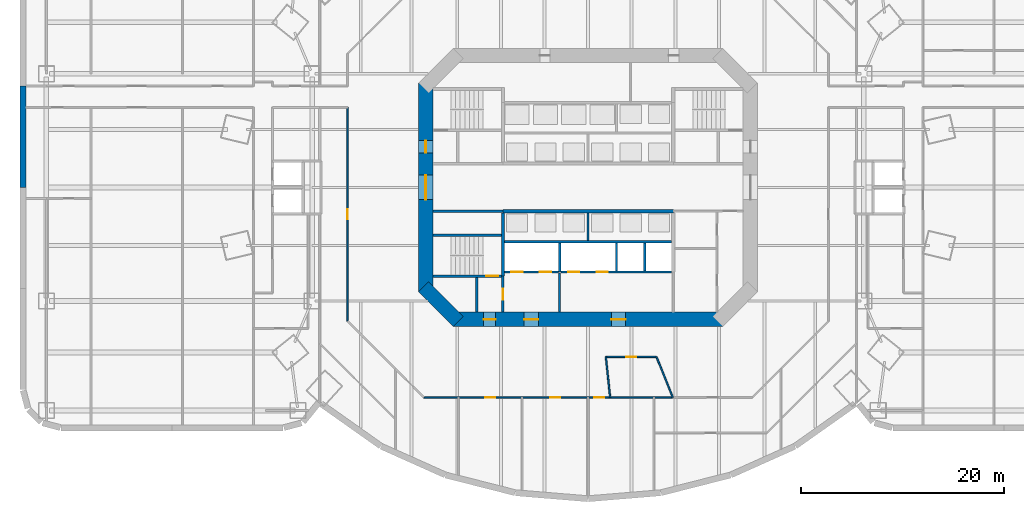
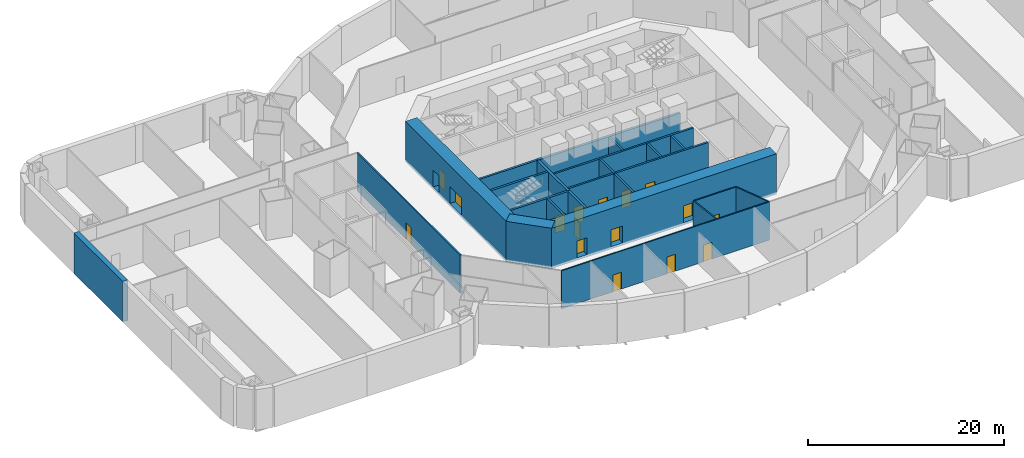
# One storey, part 4 of 11: 24 walls, 16 doors, 16 openings.
"""IFC4 building model written with IfcOpenShell, lengths in metres."""

from ifc_helpers import new_model, si_unit, direction, frame, frame_2d, origin, place, context, subcontext, project, spatial, rectangle, extrude, material, layer, layer_set, type_object, element, fill, save


model = new_model("IFC4")

# Units and contexts
model_context = context("Model", 3, precision=1e-05, world=origin(), true_north=direction((0.0, 1.0)))
body_context = subcontext(model_context, "Body", "Model", "MODEL_VIEW")
ifc_project = project(units=[si_unit("LENGTHUNIT", "METRE"), si_unit("AREAUNIT", "SQUARE_METRE"), si_unit("VOLUMEUNIT", "CUBIC_METRE"), si_unit("PLANEANGLEUNIT", "RADIAN"), si_unit("MASSUNIT", "GRAM", prefix="KILO")], contexts=[model_context])

# Site, building, storey
site_placement = place(None, origin())
site = spatial("IfcSite", under=ifc_project, at=site_placement, CompositionType="ELEMENT")
building_placement = place(site_placement, origin())
building = spatial("IfcBuilding", under=site, at=building_placement, Name="Marenthal Gate Tower", CompositionType="ELEMENT")
storey_placement = place(building_placement, frame((0.0, 0.0, -5.0)))
storey = spatial("IfcBuildingStorey", under=building, at=storey_placement, Name="B1", CompositionType="ELEMENT", Elevation=-5.0)

# Wall
ifc_material_1 = material(Name="Concrete 50 MPa", Category="concrete")
ifc_layer_1 = layer(ifc_material_1, 0.60009765625)
ifc_layer_set_1 = layer_set([ifc_layer_1], Name="BASEMENT WALL 600")
wall_type_1 = type_object("IfcWallType", Name="BASEMENT WALL 600", PredefinedType="SOLIDWALL", material=ifc_layer_set_1)
wall_1_placement = place(storey_placement, frame((-55.699951171875, 9.98974609375, -0.300048828125), z_axis=(0.0, 0.0, 1.0), x_axis=(0.0, -1.0, 0.0)))
element("IfcWall", 1, at=wall_1_placement, inside=storey, type_object=wall_type_1, Name="BW-B1-43", PredefinedType="SOLIDWALL", context=body_context, shape_type="SweptSolid", body=[
    extrude(rectangle(XDim=9.98974609375, YDim=0.60009765625, at=frame_2d((4.994873046875, 0.0))), origin(), (0.0, 0.0, 1.0), 5.050048828125),
])

# Wall, openings, doors
ifc_material_2 = material(Name="Concrete 60 MPa", Category="concrete")
ifc_layer_2 = layer(ifc_material_2, 1.39990234375)
ifc_layer_set_2 = layer_set([ifc_layer_2], Name="Core shear wall 1400")
wall_type_2 = type_object("IfcWallType", Name="Core shear wall 1400", PredefinedType="SHEAR", material=ifc_layer_set_2)
wall_2_placement = place(storey_placement, frame((-16.0, 10.289794921875, -0.300048828125), z_axis=(0.0, 0.0, 1.0), x_axis=(0.0, -1.0, 0.0)))
wall_2 = element("IfcWall", 2, at=wall_2_placement, inside=storey, type_object=wall_type_2, Name="Core wall 06", PredefinedType="SHEAR", context=body_context, shape_type="SweptSolid", body=[
    extrude(rectangle(XDim=20.57958984375, YDim=1.39990234375, at=frame_2d((10.289794921875, 0.0))), origin(), (0.0, 0.0, 1.0), 5.050048828125),
])
opening_1_placement = place(wall_2_placement, frame((9.08984375, 0.0, 0.300048828125)))
opening_1 = element("IfcOpeningElement", 3, at=opening_1_placement, cuts=wall_2, Name="Opening D003.01", PredefinedType="OPENING", context=body_context, shape_type="SweptSolid", body=[
    extrude(rectangle(XDim=2.39990234375, YDim=2.10009765625, at=frame_2d((1.199951171875, 1.050048828125))), frame((0.0, 0.7099609375, 0.0), z_axis=(0.0, -1.0, 0.0), x_axis=(1.0, 0.0, 0.0)), (0.0, 0.0, 1.0), 1.419921875),
])
opening_2_placement = place(wall_2_placement, frame((5.68994140625, 0.0, 0.300048828125)))
opening_2 = element("IfcOpeningElement", 4, at=opening_2_placement, cuts=wall_2, Name="Opening D001.04", PredefinedType="OPENING", context=body_context, shape_type="SweptSolid", body=[
    extrude(rectangle(XDim=1.199951171875, YDim=2.10009765625, at=frame_2d((0.60009765625, 1.050048828125))), frame((0.0, 0.7099609375, 0.0), z_axis=(0.0, -1.0, 0.0), x_axis=(1.0, 0.0, 0.0)), (0.0, 0.0, 1.0), 1.419921875),
])
ifc_material_3 = material(Name="Steel fire door", Category="steel")
door_type_1 = type_object("IfcDoorType", Name="Double fire door FD 45 2400 x 2100", OperationType="DOUBLE_DOOR_SINGLE_SWING", PredefinedType="DOOR", material=ifc_material_3)
door_1_placement = place(opening_1_placement, origin())
door_1 = element("IfcDoor", 5, at=door_1_placement, inside=storey, type_object=door_type_1, Name="Door D003.01", OperationType="DOUBLE_DOOR_SINGLE_SWING", OverallHeight=2.10009765625, OverallWidth=2.39990234375, PredefinedType="DOOR", context=body_context, shape_type="SweptSolid", body=[
    extrude(rectangle(XDim=2.39990234375, YDim=2.10009765625, at=frame_2d((1.199951171875, 1.050048828125))), frame((0.0, 0.02490234375, 0.0), z_axis=(0.0, -1.0, 0.0), x_axis=(1.0, 0.0, 0.0)), (0.0, 0.0, 1.0), 0.050048828125),
])
fill(opening_1, door_1)
ifc_material_4 = material(Name="Steel fire door", Category="steel")
door_type_2 = type_object("IfcDoorType", Name="Fire door FD 90 1200 x 2100", OperationType="NOTDEFINED", PredefinedType="DOOR", material=ifc_material_4)
door_2_placement = place(opening_2_placement, origin())
door_2 = element("IfcDoor", 6, at=door_2_placement, inside=storey, type_object=door_type_2, Name="Door D001.04", OperationType="SINGLE_SWING_RIGHT", OverallHeight=2.10009765625, OverallWidth=1.199951171875, PredefinedType="DOOR", context=body_context, shape_type="SweptSolid", body=[
    extrude(rectangle(XDim=1.199951171875, YDim=2.10009765625, at=frame_2d((0.60009765625, 1.050048828125))), frame((0.0, 0.02490234375, 0.0), z_axis=(0.0, -1.0, 0.0), x_axis=(1.0, 0.0, 0.0)), (0.0, 0.0, 1.0), 0.050048828125),
])
fill(opening_2, door_2)

# Wall
wall_3_placement = place(storey_placement, frame((-16.205078125, -9.794921875, -0.300048828125), z_axis=(0.0, 0.0, 1.0), x_axis=(0.707106781187, -0.707106781187, 0.0)))
element("IfcWall", 7, at=wall_3_placement, inside=storey, type_object=wall_type_2, Name="Core wall 07", PredefinedType="SHEAR", context=body_context, shape_type="SweptSolid", body=[
    extrude(rectangle(XDim=4.82275390625, YDim=1.39990234375, at=frame_2d((2.411376953125, 0.0))), origin(), (0.0, 0.0, 1.0), 5.050048828125),
])

# Wall, openings, doors
wall_4_placement = place(storey_placement, frame((-13.289794921875, -13.0, -0.300048828125), z_axis=(0.0, 0.0, 1.0), x_axis=(1.0, 0.0, 0.0)))
wall_4 = element("IfcWall", 8, at=wall_4_placement, inside=storey, type_object=wall_type_2, Name="Core wall 08", PredefinedType="SHEAR", context=body_context, shape_type="SweptSolid", body=[
    extrude(rectangle(XDim=26.57958984375, YDim=1.39990234375, at=frame_2d((13.289794921875, 0.0))), origin(), (0.0, 0.0, 1.0), 5.050048828125),
])
opening_3_placement = place(wall_4_placement, frame((2.989990234375, 0.0, 0.300048828125)))
opening_3 = element("IfcOpeningElement", 9, at=opening_3_placement, cuts=wall_4, Name="Opening D001.06", PredefinedType="OPENING", context=body_context, shape_type="SweptSolid", body=[
    extrude(rectangle(XDim=1.199951171875, YDim=2.10009765625, at=frame_2d((0.60009765625, 1.050048828125))), frame((0.0, 0.7099609375, 0.0), z_axis=(0.0, -1.0, 0.0), x_axis=(1.0, 0.0, 0.0)), (0.0, 0.0, 1.0), 1.419921875),
])
opening_4_placement = place(wall_4_placement, frame((6.989990234375, 0.0, 0.300048828125)))
opening_4 = element("IfcOpeningElement", 10, at=opening_4_placement, cuts=wall_4, Name="Opening D004.01", PredefinedType="OPENING", context=body_context, shape_type="SweptSolid", body=[
    extrude(rectangle(XDim=1.39990234375, YDim=2.10009765625, at=frame_2d((0.699951171875, 1.050048828125))), frame((0.0, 0.7099609375, 0.0), z_axis=(0.0, -1.0, 0.0), x_axis=(1.0, 0.0, 0.0)), (0.0, 0.0, 1.0), 1.419921875),
])
opening_5_placement = place(wall_4_placement, frame((15.58984375, 0.0, 0.300048828125)))
opening_5 = element("IfcOpeningElement", 11, at=opening_5_placement, cuts=wall_4, Name="Opening D004.02", PredefinedType="OPENING", context=body_context, shape_type="SweptSolid", body=[
    extrude(rectangle(XDim=1.39990234375, YDim=2.10009765625, at=frame_2d((0.699951171875, 1.050048828125))), frame((0.0, 0.7099609375, 0.0), z_axis=(0.0, -1.0, 0.0), x_axis=(1.0, 0.0, 0.0)), (0.0, 0.0, 1.0), 1.419921875),
])
ifc_material_5 = material(Name="Steel fire door", Category="steel")
door_type_3 = type_object("IfcDoorType", Name="Fire door FD 45 1400 x 2100", OperationType="NOTDEFINED", PredefinedType="DOOR", material=ifc_material_5)
door_3_placement = place(opening_4_placement, origin())
door_3 = element("IfcDoor", 12, at=door_3_placement, inside=storey, type_object=door_type_3, Name="Door D004.01", OperationType="SINGLE_SWING_RIGHT", OverallHeight=2.10009765625, OverallWidth=1.39990234375, PredefinedType="DOOR", context=body_context, shape_type="SweptSolid", body=[
    extrude(rectangle(XDim=1.39990234375, YDim=2.10009765625, at=frame_2d((0.699951171875, 1.050048828125))), frame((0.0, 0.02490234375, 0.0), z_axis=(0.0, -1.0, 0.0), x_axis=(1.0, 0.0, 0.0)), (0.0, 0.0, 1.0), 0.050048828125),
])
fill(opening_4, door_3)
door_4_placement = place(opening_5_placement, origin())
door_4 = element("IfcDoor", 13, at=door_4_placement, inside=storey, type_object=door_type_3, Name="Door D004.02", OperationType="SINGLE_SWING_RIGHT", OverallHeight=2.10009765625, OverallWidth=1.39990234375, PredefinedType="DOOR", context=body_context, shape_type="SweptSolid", body=[
    extrude(rectangle(XDim=1.39990234375, YDim=2.10009765625, at=frame_2d((0.699951171875, 1.050048828125))), frame((0.0, 0.02490234375, 0.0), z_axis=(0.0, -1.0, 0.0), x_axis=(1.0, 0.0, 0.0)), (0.0, 0.0, 1.0), 0.050048828125),
])
fill(opening_5, door_4)
door_5_placement = place(opening_3_placement, origin())
door_5 = element("IfcDoor", 14, at=door_5_placement, inside=storey, type_object=door_type_2, Name="Door D001.06", OperationType="SINGLE_SWING_RIGHT", OverallHeight=2.10009765625, OverallWidth=1.199951171875, PredefinedType="DOOR", context=body_context, shape_type="SweptSolid", body=[
    extrude(rectangle(XDim=1.199951171875, YDim=2.10009765625, at=frame_2d((0.60009765625, 1.050048828125))), frame((0.0, 0.02490234375, 0.0), z_axis=(0.0, -1.0, 0.0), x_axis=(1.0, 0.0, 0.0)), (0.0, 0.0, 1.0), 0.050048828125),
])
fill(opening_3, door_5)

# Walls
ifc_material_6 = material(Name="Gypsum board on steel studs", Category="steel")
ifc_layer_3 = layer(ifc_material_6, 0.199951171875)
ifc_layer_set_3 = layer_set([ifc_layer_3], Name="Fire lobby wall 200")
wall_type_3 = type_object("IfcWallType", Name="Fire lobby wall 200", PredefinedType="PARTITIONING", material=ifc_layer_set_3)
wall_5_placement = place(storey_placement, frame((-2.800048828125, -12.300048828125, 0.0), z_axis=(0.0, 0.0, 1.0), x_axis=(0.0, 1.0, 0.0)))
element("IfcWall", 15, at=wall_5_placement, inside=storey, type_object=wall_type_3, Name="Fire wall 33", PredefinedType="PARTITIONING", context=body_context, shape_type="SweptSolid", body=[
    extrude(rectangle(XDim=3.840087890625, YDim=0.199951171875, at=frame_2d((1.919921875, 0.0))), origin(), (0.0, 0.0, 1.0), 4.75),
])
ifc_material_7 = material(Name="Concrete 50 MPa", Category="concrete")
ifc_layer_4 = layer(ifc_material_7, 0.300048828125)
ifc_layer_set_4 = layer_set([ifc_layer_4], Name="Hoistway shear wall 300")
wall_type_4 = type_object("IfcWallType", Name="Hoistway shear wall 300", PredefinedType="SHEAR", material=ifc_layer_set_4)
wall_6_placement = place(storey_placement, frame((-8.39990234375, -2.35009765625, -0.300048828125), z_axis=(0.0, 0.0, 1.0), x_axis=(1.0, 0.0, 0.0)))
element("IfcWall", 16, at=wall_6_placement, inside=storey, type_object=wall_type_4, Name="Hoistway wall 16", PredefinedType="SHEAR", context=body_context, shape_type="SweptSolid", body=[
    extrude(rectangle(XDim=16.7998046875, YDim=0.300048828125, at=frame_2d((8.39990234375, 0.0))), origin(), (0.0, 0.0, 1.0), 5.050048828125),
])
wall_7_placement = place(storey_placement, frame((-8.39990234375, -8.75, -0.300048828125), z_axis=(0.0, 0.0, 1.0), x_axis=(0.0, 1.0, 0.0)))
element("IfcWall", 17, at=wall_7_placement, inside=storey, type_object=wall_type_4, Name="Hoistway wall 30", PredefinedType="SHEAR", context=body_context, shape_type="SweptSolid", body=[
    extrude(rectangle(XDim=6.25, YDim=0.300048828125, at=frame_2d((3.125, 0.0))), origin(), (0.0, 0.0, 1.0), 5.050048828125),
])

# Wall, openings, doors
ifc_material_8 = material(Name="Concrete 40 MPa", Category="concrete")
ifc_layer_5 = layer(ifc_material_8, 0.219970703125)
ifc_layer_set_5 = layer_set([ifc_layer_5], Name="Hoistway wall 220")
wall_type_5 = type_object("IfcWallType", Name="Hoistway wall 220", PredefinedType="STANDARD", material=ifc_layer_set_5)
wall_8_placement = place(storey_placement, frame((-8.25, -8.35009765625, 0.0), z_axis=(0.0, 0.0, 1.0), x_axis=(1.0, 0.0, 0.0)))
wall_8 = element("IfcWall", 18, at=wall_8_placement, inside=storey, type_object=wall_type_5, Name="Hoistway wall 10", PredefinedType="STANDARD", context=body_context, shape_type="SweptSolid", body=[
    extrude(rectangle(XDim=5.340087890625, YDim=0.219970703125, at=frame_2d((2.669921875, 0.0))), origin(), (0.0, 0.0, 1.0), 4.75),
])
opening_6_placement = place(wall_8_placement, frame((0.699951171875, 0.0, 0.0)))
opening_6 = element("IfcOpeningElement", 19, at=opening_6_placement, cuts=wall_8, Name="Opening LD-LF1", PredefinedType="OPENING", context=body_context, shape_type="SweptSolid", body=[
    extrude(rectangle(XDim=1.10009765625, YDim=2.10009765625, at=frame_2d((0.550048828125, 1.050048828125))), frame((0.0, 0.1201171875, 0.0), z_axis=(0.0, -1.0, 0.0), x_axis=(1.0, 0.0, 0.0)), (0.0, 0.0, 1.0), 0.239990234375),
])
opening_7_placement = place(wall_8_placement, frame((3.5, 0.0, 0.0)))
opening_7 = element("IfcOpeningElement", 20, at=opening_7_placement, cuts=wall_8, Name="Opening LD-LF2", PredefinedType="OPENING", context=body_context, shape_type="SweptSolid", body=[
    extrude(rectangle(XDim=1.10009765625, YDim=2.10009765625, at=frame_2d((0.550048828125, 1.050048828125))), frame((0.0, 0.1201171875, 0.0), z_axis=(0.0, -1.0, 0.0), x_axis=(1.0, 0.0, 0.0)), (0.0, 0.0, 1.0), 0.239990234375),
])
ifc_material_9 = material(Name="Stainless steel sliding door", Category="steel")
door_type_4 = type_object("IfcDoorType", Name="Lift landing door FD 90 1100 x 2100", OperationType="DOUBLE_DOOR_SLIDING", PredefinedType="DOOR", material=ifc_material_9)
door_6_placement = place(opening_6_placement, origin())
door_6 = element("IfcDoor", 21, at=door_6_placement, inside=storey, type_object=door_type_4, Name="Lift landing door LF1", OperationType="DOUBLE_DOOR_SLIDING", OverallHeight=2.10009765625, OverallWidth=1.10009765625, PredefinedType="DOOR", context=body_context, shape_type="SweptSolid", body=[
    extrude(rectangle(XDim=1.10009765625, YDim=2.10009765625, at=frame_2d((0.550048828125, 1.050048828125))), frame((0.0, 0.02490234375, 0.0), z_axis=(0.0, -1.0, 0.0), x_axis=(1.0, 0.0, 0.0)), (0.0, 0.0, 1.0), 0.050048828125),
])
fill(opening_6, door_6)
door_7_placement = place(opening_7_placement, origin())
door_7 = element("IfcDoor", 22, at=door_7_placement, inside=storey, type_object=door_type_4, Name="Lift landing door LF2", OperationType="DOUBLE_DOOR_SLIDING", OverallHeight=2.10009765625, OverallWidth=1.10009765625, PredefinedType="DOOR", context=body_context, shape_type="SweptSolid", body=[
    extrude(rectangle(XDim=1.10009765625, YDim=2.10009765625, at=frame_2d((0.550048828125, 1.050048828125))), frame((0.0, 0.02490234375, 0.0), z_axis=(0.0, -1.0, 0.0), x_axis=(1.0, 0.0, 0.0)), (0.0, 0.0, 1.0), 0.050048828125),
])
fill(opening_7, door_7)

wall_9_placement = place(storey_placement, frame((-2.68994140625, -8.35009765625, 0.0), z_axis=(0.0, 0.0, 1.0), x_axis=(1.0, 0.0, 0.0)))
wall_9 = element("IfcWall", 23, at=wall_9_placement, inside=storey, type_object=wall_type_5, Name="Hoistway wall 11", PredefinedType="STANDARD", context=body_context, shape_type="SweptSolid", body=[
    extrude(rectangle(XDim=10.93994140625, YDim=0.219970703125, at=frame_2d((5.469970703125, 0.0))), origin(), (0.0, 0.0, 1.0), 4.75),
])
opening_8_placement = place(wall_9_placement, frame((0.739990234375, 0.0, 0.0)))
opening_8 = element("IfcOpeningElement", 24, at=opening_8_placement, cuts=wall_9, Name="Opening LD-SV1", PredefinedType="OPENING", context=body_context, shape_type="SweptSolid", body=[
    extrude(rectangle(XDim=1.10009765625, YDim=2.10009765625, at=frame_2d((0.550048828125, 1.050048828125))), frame((0.0, 0.1201171875, 0.0), z_axis=(0.0, -1.0, 0.0), x_axis=(1.0, 0.0, 0.0)), (0.0, 0.0, 1.0), 0.239990234375),
])
opening_9_placement = place(wall_9_placement, frame((3.5400390625, 0.0, 0.0)))
opening_9 = element("IfcOpeningElement", 25, at=opening_9_placement, cuts=wall_9, Name="Opening LD-SV2", PredefinedType="OPENING", context=body_context, shape_type="SweptSolid", body=[
    extrude(rectangle(XDim=1.10009765625, YDim=2.10009765625, at=frame_2d((0.550048828125, 1.050048828125))), frame((0.0, 0.1201171875, 0.0), z_axis=(0.0, -1.0, 0.0), x_axis=(1.0, 0.0, 0.0)), (0.0, 0.0, 1.0), 0.239990234375),
])
door_8_placement = place(opening_8_placement, origin())
door_8 = element("IfcDoor", 26, at=door_8_placement, inside=storey, type_object=door_type_4, Name="Lift landing door SV1", OperationType="DOUBLE_DOOR_SLIDING", OverallHeight=2.10009765625, OverallWidth=1.10009765625, PredefinedType="DOOR", context=body_context, shape_type="SweptSolid", body=[
    extrude(rectangle(XDim=1.10009765625, YDim=2.10009765625, at=frame_2d((0.550048828125, 1.050048828125))), frame((0.0, 0.02490234375, 0.0), z_axis=(0.0, -1.0, 0.0), x_axis=(1.0, 0.0, 0.0)), (0.0, 0.0, 1.0), 0.050048828125),
])
fill(opening_8, door_8)
door_9_placement = place(opening_9_placement, origin())
door_9 = element("IfcDoor", 27, at=door_9_placement, inside=storey, type_object=door_type_4, Name="Lift landing door SV2", OperationType="DOUBLE_DOOR_SLIDING", OverallHeight=2.10009765625, OverallWidth=1.10009765625, PredefinedType="DOOR", context=body_context, shape_type="SweptSolid", body=[
    extrude(rectangle(XDim=1.10009765625, YDim=2.10009765625, at=frame_2d((0.550048828125, 1.050048828125))), frame((0.0, 0.02490234375, 0.0), z_axis=(0.0, -1.0, 0.0), x_axis=(1.0, 0.0, 0.0)), (0.0, 0.0, 1.0), 0.050048828125),
])
fill(opening_9, door_9)

# Walls
wall_10_placement = place(storey_placement, frame((-8.25, -5.35009765625, 0.0), z_axis=(0.0, 0.0, 1.0), x_axis=(1.0, 0.0, 0.0)))
element("IfcWall", 28, at=wall_10_placement, inside=storey, type_object=wall_type_5, Name="Hoistway wall 13", PredefinedType="STANDARD", context=body_context, shape_type="SweptSolid", body=[
    extrude(rectangle(XDim=16.5, YDim=0.219970703125, at=frame_2d((8.25, 0.0))), origin(), (0.0, 0.0, 1.0), 4.75),
])
wall_11_placement = place(storey_placement, frame((-2.800048828125, -8.35009765625, 0.0), z_axis=(0.0, 0.0, 1.0), x_axis=(0.0, 1.0, 0.0)))
element("IfcWall", 29, at=wall_11_placement, inside=storey, type_object=wall_type_5, Name="Hoistway wall 34", PredefinedType="STANDARD", context=body_context, shape_type="SweptSolid", body=[
    extrude(rectangle(XDim=2.89013671875, YDim=0.219970703125, at=frame_2d((1.445068359375, 0.0))), origin(), (0.0, 0.0, 1.0), 4.75),
])
wall_12_placement = place(storey_placement, frame((0.0, -5.239990234375, 0.0), z_axis=(0.0, 0.0, 1.0), x_axis=(0.0, 1.0, 0.0)))
element("IfcWall", 30, at=wall_12_placement, inside=storey, type_object=wall_type_5, Name="Hoistway wall 35", PredefinedType="STANDARD", context=body_context, shape_type="SweptSolid", body=[
    extrude(rectangle(XDim=2.739990234375, YDim=0.219970703125, at=frame_2d((1.3701171875, 0.0))), origin(), (0.0, 0.0, 1.0), 4.75),
])
for number, where, z_axis, x_axis, name in (
    (31, (2.800048828125, -8.239990234375, 0.0), (0.0, 0.0, 1.0), (0.0, 1.0, 0.0), "Hoistway wall 37"),
    (32, (5.60009765625, -8.239990234375, 0.0), (0.0, 0.0, 1.0), (0.0, 1.0, 0.0), "Hoistway wall 40"),
):
    element("IfcWall", number, at=place(storey_placement, frame(where, z_axis=z_axis, x_axis=x_axis)), inside=storey, type_object=wall_type_5, Name=name, PredefinedType="STANDARD", context=body_context, shape_type="SweptSolid", body=[
        extrude(rectangle(XDim=2.780029296875, YDim=0.219970703125, at=frame_2d((1.39013671875, 0.0))), origin(), (0.0, 0.0, 1.0), 4.75),
    ])

# Wall, opening, door
ifc_material_10 = material(Name="Gypsum board on steel studs", Category="steel")
ifc_layer_6 = layer(ifc_material_10, 0.14990234375)
ifc_layer_set_6 = layer_set([ifc_layer_6], Name="Partition 150")
wall_type_6 = type_object("IfcWallType", Name="Partition 150", PredefinedType="PARTITIONING", material=ifc_layer_set_6)
wall_13_placement = place(storey_placement, frame((-23.699951171875, -13.189453125, 0.0), z_axis=(0.0, 0.0, 1.0), x_axis=(0.0, 1.0, 0.0)))
wall_13 = element("IfcWall", 33, at=wall_13_placement, inside=storey, type_object=wall_type_6, Name="Partition wall 08", PredefinedType="PARTITIONING", context=body_context, shape_type="SweptSolid", body=[
    extrude(rectangle(XDim=21.094482421875, YDim=0.14990234375, at=frame_2d((10.54736328125, 0.0))), origin(), (0.0, 0.0, 1.0), 4.75),
])
opening_10_placement = place(wall_13_placement, frame((10.044677734375, 0.0, 0.0)))
opening_10 = element("IfcOpeningElement", 34, at=opening_10_placement, cuts=wall_13, Name="Opening D012.02", PredefinedType="OPENING", context=body_context, shape_type="SweptSolid", body=[
    extrude(rectangle(XDim=1.0, YDim=2.10009765625, at=frame_2d((0.5, 1.050048828125))), frame((0.0, 0.0849609375, 0.0), z_axis=(0.0, -1.0, 0.0), x_axis=(1.0, 0.0, 0.0)), (0.0, 0.0, 1.0), 0.169921875),
])
ifc_material_11 = material(Name="Timber door", Category="wood")
door_type_5 = type_object("IfcDoorType", Name="Door 1000 x 2100", OperationType="NOTDEFINED", PredefinedType="DOOR", material=ifc_material_11)
door_10_placement = place(opening_10_placement, origin())
door_10 = element("IfcDoor", 35, at=door_10_placement, inside=storey, type_object=door_type_5, Name="Door D012.02", OperationType="SINGLE_SWING_RIGHT", OverallHeight=2.10009765625, OverallWidth=1.0, PredefinedType="DOOR", context=body_context, shape_type="SweptSolid", body=[
    extrude(rectangle(XDim=1.0, YDim=2.10009765625, at=frame_2d((0.5, 1.050048828125))), frame((0.0, 0.02490234375, 0.0), z_axis=(0.0, -1.0, 0.0), x_axis=(1.0, 0.0, 0.0)), (0.0, 0.0, 1.0), 0.050048828125),
])
fill(opening_10, door_10)

# Walls
ifc_material_12 = material(Name="Concrete 40 MPa", Category="concrete")
ifc_layer_7 = layer(ifc_material_12, 0.25)
ifc_layer_set_7 = layer_set([ifc_layer_7], Name="Stair enclosure wall 250")
wall_type_7 = type_object("IfcWallType", Name="Stair enclosure wall 250", PredefinedType="STANDARD", material=ifc_layer_set_7)
wall_14_placement = place(storey_placement, frame((-15.300048828125, -2.35009765625, 0.0), z_axis=(0.0, 0.0, 1.0), x_axis=(1.0, 0.0, 0.0)))
element("IfcWall", 36, at=wall_14_placement, inside=storey, type_object=wall_type_7, Name="Stair wall 15", PredefinedType="STANDARD", context=body_context, shape_type="SweptSolid", body=[
    extrude(rectangle(XDim=6.900146484375, YDim=0.25, at=frame_2d((3.4501953125, 0.0))), origin(), (0.0, 0.0, 1.0), 4.75),
])
wall_15_placement = place(storey_placement, frame((-10.949951171875, -12.300048828125, 0.0), z_axis=(0.0, 0.0, 1.0), x_axis=(0.0, 1.0, 0.0)))
element("IfcWall", 37, at=wall_15_placement, inside=storey, type_object=wall_type_7, Name="Stair wall 28", PredefinedType="STANDARD", context=body_context, shape_type="SweptSolid", body=[
    extrude(rectangle(XDim=3.425048828125, YDim=0.25, at=frame_2d((1.71240234375, 0.0))), origin(), (0.0, 0.0, 1.0), 4.75),
])

# Wall, opening, door
wall_16_placement = place(storey_placement, frame((-8.39990234375, -12.300048828125, 0.0), z_axis=(0.0, 0.0, 1.0), x_axis=(0.0, 1.0, 0.0)))
wall_16 = element("IfcWall", 38, at=wall_16_placement, inside=storey, type_object=wall_type_7, Name="Stair wall 29", PredefinedType="STANDARD", context=body_context, shape_type="SweptSolid", body=[
    extrude(rectangle(XDim=3.550048828125, YDim=0.25, at=frame_2d((1.77490234375, 0.0))), origin(), (0.0, 0.0, 1.0), 4.75),
])
opening_11_placement = place(wall_16_placement, frame((1.199951171875, 0.0, 0.0)))
opening_11 = element("IfcOpeningElement", 39, at=opening_11_placement, cuts=wall_16, Name="Opening D002.01", PredefinedType="OPENING", context=body_context, shape_type="SweptSolid", body=[
    extrude(rectangle(XDim=1.10009765625, YDim=2.10009765625, at=frame_2d((0.550048828125, 1.050048828125))), frame((0.0, 0.135009765625, 0.0), z_axis=(0.0, -1.0, 0.0), x_axis=(1.0, 0.0, 0.0)), (0.0, 0.0, 1.0), 0.27001953125),
])
ifc_material_13 = material(Name="Steel fire door", Category="steel")
door_type_6 = type_object("IfcDoorType", Name="Fire door FD 90 1100 x 2100", OperationType="NOTDEFINED", PredefinedType="DOOR", material=ifc_material_13)
door_11_placement = place(opening_11_placement, origin())
door_11 = element("IfcDoor", 40, at=door_11_placement, inside=storey, type_object=door_type_6, Name="Door D002.01", OperationType="SINGLE_SWING_RIGHT", OverallHeight=2.10009765625, OverallWidth=1.10009765625, PredefinedType="DOOR", context=body_context, shape_type="SweptSolid", body=[
    extrude(rectangle(XDim=1.10009765625, YDim=2.10009765625, at=frame_2d((0.550048828125, 1.050048828125))), frame((0.0, 0.02490234375, 0.0), z_axis=(0.0, -1.0, 0.0), x_axis=(1.0, 0.0, 0.0)), (0.0, 0.0, 1.0), 0.050048828125),
])
fill(opening_11, door_11)

ifc_material_14 = material(Name="Concrete 50 MPa", Category="concrete")
ifc_layer_8 = layer(ifc_material_14, 0.25)
ifc_layer_set_8 = layer_set([ifc_layer_8], Name="Stair shear wall 250")
wall_type_8 = type_object("IfcWallType", Name="Stair shear wall 250", PredefinedType="SHEAR", material=ifc_layer_set_8)
wall_17_placement = place(storey_placement, frame((-15.300048828125, -8.75, -0.300048828125), z_axis=(0.0, 0.0, 1.0), x_axis=(1.0, 0.0, 0.0)))
wall_17 = element("IfcWall", 41, at=wall_17_placement, inside=storey, type_object=wall_type_8, Name="Stair wall 09", PredefinedType="SHEAR", context=body_context, shape_type="SweptSolid", body=[
    extrude(rectangle(XDim=6.75, YDim=0.25, at=frame_2d((3.375, 0.0))), origin(), (0.0, 0.0, 1.0), 5.050048828125),
])
opening_12_placement = place(wall_17_placement, frame((5.25, 0.0, 0.300048828125)))
opening_12 = element("IfcOpeningElement", 42, at=opening_12_placement, cuts=wall_17, Name="Opening D001.03", PredefinedType="OPENING", context=body_context, shape_type="SweptSolid", body=[
    extrude(rectangle(XDim=1.199951171875, YDim=2.10009765625, at=frame_2d((0.60009765625, 1.050048828125))), frame((0.0, 0.135009765625, 0.0), z_axis=(0.0, -1.0, 0.0), x_axis=(1.0, 0.0, 0.0)), (0.0, 0.0, 1.0), 0.27001953125),
])
door_12_placement = place(opening_12_placement, origin())
door_12 = element("IfcDoor", 43, at=door_12_placement, inside=storey, type_object=door_type_2, Name="Door D001.03", OperationType="SINGLE_SWING_RIGHT", OverallHeight=2.10009765625, OverallWidth=1.199951171875, PredefinedType="DOOR", context=body_context, shape_type="SweptSolid", body=[
    extrude(rectangle(XDim=1.199951171875, YDim=2.10009765625, at=frame_2d((0.60009765625, 1.050048828125))), frame((0.0, 0.02490234375, 0.0), z_axis=(0.0, -1.0, 0.0), x_axis=(1.0, 0.0, 0.0)), (0.0, 0.0, 1.0), 0.050048828125),
])
fill(opening_12, door_12)

# Wall
wall_18_placement = place(storey_placement, frame((-15.300048828125, -4.699951171875, -0.300048828125), z_axis=(0.0, 0.0, 1.0), x_axis=(1.0, 0.0, 0.0)))
element("IfcWall", 44, at=wall_18_placement, inside=storey, type_object=wall_type_8, Name="Stair wall 14", PredefinedType="SHEAR", context=body_context, shape_type="SweptSolid", body=[
    extrude(rectangle(XDim=6.75, YDim=0.25, at=frame_2d((3.375, 0.0))), origin(), (0.0, 0.0, 1.0), 5.050048828125),
])

# Wall, openings, doors
ifc_material_15 = material(Name="Gypsum board on steel studs", Category="steel")
ifc_layer_9 = layer(ifc_material_15, 0.14990234375)
ifc_layer_set_9 = layer_set([ifc_layer_9], Name="Wet room partition 150")
wall_type_9 = type_object("IfcWallType", Name="Wet room partition 150", PredefinedType="PARTITIONING", material=ifc_layer_set_9)
wall_19_placement = place(storey_placement, frame((-16.189453125, -20.699951171875, 0.0), z_axis=(0.0, 0.0, 1.0), x_axis=(1.0, 0.0, 0.0)))
wall_19 = element("IfcWall", 45, at=wall_19_placement, inside=storey, type_object=wall_type_9, Name="Wet wall 45", PredefinedType="PARTITIONING", context=body_context, shape_type="SweptSolid", body=[
    extrude(rectangle(XDim=24.557861328125, YDim=0.14990234375, at=frame_2d((12.27880859375, 0.0))), origin(), (0.0, 0.0, 1.0), 4.75),
])
opening_13_placement = place(wall_19_placement, frame((6.064453125, 0.0, 0.0)))
opening_13 = element("IfcOpeningElement", 46, at=opening_13_placement, cuts=wall_19, Name="Opening D012.04", PredefinedType="OPENING", context=body_context, shape_type="SweptSolid", body=[
    extrude(rectangle(XDim=1.0, YDim=2.10009765625, at=frame_2d((0.5, 1.050048828125))), frame((0.0, 0.0849609375, 0.0), z_axis=(0.0, -1.0, 0.0), x_axis=(1.0, 0.0, 0.0)), (0.0, 0.0, 1.0), 0.169921875),
])
opening_14_placement = place(wall_19_placement, frame((12.439453125, 0.0, 0.0)))
opening_14 = element("IfcOpeningElement", 47, at=opening_14_placement, cuts=wall_19, Name="Opening D012.05", PredefinedType="OPENING", context=body_context, shape_type="SweptSolid", body=[
    extrude(rectangle(XDim=1.0, YDim=2.10009765625, at=frame_2d((0.5, 1.050048828125))), frame((0.0, 0.0849609375, 0.0), z_axis=(0.0, -1.0, 0.0), x_axis=(1.0, 0.0, 0.0)), (0.0, 0.0, 1.0), 0.169921875),
])
opening_15_placement = place(wall_19_placement, frame((16.777099609375, 0.0, 0.0)))
opening_15 = element("IfcOpeningElement", 48, at=opening_15_placement, cuts=wall_19, Name="Opening D012.06", PredefinedType="OPENING", context=body_context, shape_type="SweptSolid", body=[
    extrude(rectangle(XDim=1.0, YDim=2.10009765625, at=frame_2d((0.5, 1.050048828125))), frame((0.0, 0.0849609375, 0.0), z_axis=(0.0, -1.0, 0.0), x_axis=(1.0, 0.0, 0.0)), (0.0, 0.0, 1.0), 0.169921875),
])
door_13_placement = place(opening_13_placement, frame((1.0, 0.0, 0.0), z_axis=(0.0, 0.0, 1.0), x_axis=(-1.0, 0.0, 0.0)))
door_13 = element("IfcDoor", 49, at=door_13_placement, inside=storey, type_object=door_type_5, Name="Door D012.04", OperationType="SINGLE_SWING_LEFT", OverallHeight=2.10009765625, OverallWidth=1.0, PredefinedType="DOOR", context=body_context, shape_type="SweptSolid", body=[
    extrude(rectangle(XDim=1.0, YDim=2.10009765625, at=frame_2d((0.5, 1.050048828125))), frame((0.0, 0.02490234375, 0.0), z_axis=(0.0, -1.0, 0.0), x_axis=(1.0, 0.0, 0.0)), (0.0, 0.0, 1.0), 0.050048828125),
])
fill(opening_13, door_13)
door_14_placement = place(opening_14_placement, frame((1.0, 0.0, 0.0), z_axis=(0.0, 0.0, 1.0), x_axis=(-1.0, 0.0, 0.0)))
door_14 = element("IfcDoor", 50, at=door_14_placement, inside=storey, type_object=door_type_5, Name="Door D012.05", OperationType="SINGLE_SWING_LEFT", OverallHeight=2.10009765625, OverallWidth=1.0, PredefinedType="DOOR", context=body_context, shape_type="SweptSolid", body=[
    extrude(rectangle(XDim=1.0, YDim=2.10009765625, at=frame_2d((0.5, 1.050048828125))), frame((0.0, 0.02490234375, 0.0), z_axis=(0.0, -1.0, 0.0), x_axis=(1.0, 0.0, 0.0)), (0.0, 0.0, 1.0), 0.050048828125),
])
fill(opening_14, door_14)
door_15_placement = place(opening_15_placement, frame((1.0, 0.0, 0.0), z_axis=(0.0, 0.0, 1.0), x_axis=(-1.0, 0.0, 0.0)))
door_15 = element("IfcDoor", 51, at=door_15_placement, inside=storey, type_object=door_type_5, Name="Door D012.06", OperationType="SINGLE_SWING_LEFT", OverallHeight=2.10009765625, OverallWidth=1.0, PredefinedType="DOOR", context=body_context, shape_type="SweptSolid", body=[
    extrude(rectangle(XDim=1.0, YDim=2.10009765625, at=frame_2d((0.5, 1.050048828125))), frame((0.0, 0.02490234375, 0.0), z_axis=(0.0, -1.0, 0.0), x_axis=(1.0, 0.0, 0.0)), (0.0, 0.0, 1.0), 0.050048828125),
])
fill(opening_15, door_15)

# Wall, opening, door
wall_20_placement = place(storey_placement, frame((1.750244140625, -16.699951171875, 0.0), z_axis=(0.0, 0.0, 1.0), x_axis=(1.0, 0.0, 0.0)))
wall_20 = element("IfcWall", 52, at=wall_20_placement, inside=storey, type_object=wall_type_9, Name="Wet wall 46", PredefinedType="PARTITIONING", context=body_context, shape_type="SweptSolid", body=[
    extrude(rectangle(XDim=4.9970703125, YDim=0.14990234375, at=frame_2d((2.49853515625, 0.0))), origin(), (0.0, 0.0, 1.0), 4.75),
])
opening_16_placement = place(wall_20_placement, frame((2.0009765625, 0.0, 0.0)))
opening_16 = element("IfcOpeningElement", 53, at=opening_16_placement, cuts=wall_20, Name="Opening D012.17", PredefinedType="OPENING", context=body_context, shape_type="SweptSolid", body=[
    extrude(rectangle(XDim=1.0, YDim=2.10009765625, at=frame_2d((0.5, 1.050048828125))), frame((0.0, 0.0849609375, 0.0), z_axis=(0.0, -1.0, 0.0), x_axis=(1.0, 0.0, 0.0)), (0.0, 0.0, 1.0), 0.169921875),
])
door_16_placement = place(opening_16_placement, frame((1.0, 0.0, 0.0), z_axis=(0.0, 0.0, 1.0), x_axis=(-1.0, 0.0, 0.0)))
door_16 = element("IfcDoor", 54, at=door_16_placement, inside=storey, type_object=door_type_5, Name="Door D012.17", OperationType="SINGLE_SWING_LEFT", OverallHeight=2.10009765625, OverallWidth=1.0, PredefinedType="DOOR", context=body_context, shape_type="SweptSolid", body=[
    extrude(rectangle(XDim=1.0, YDim=2.10009765625, at=frame_2d((0.5, 1.050048828125))), frame((0.0, 0.02490234375, 0.0), z_axis=(0.0, -1.0, 0.0), x_axis=(1.0, 0.0, 0.0)), (0.0, 0.0, 1.0), 0.050048828125),
])
fill(opening_16, door_16)

# Walls
wall_21_placement = place(storey_placement, frame((2.17578125, -20.699951171875, 0.0), z_axis=(0.0, 0.0, 1.0), x_axis=(-0.104586831818, 0.994515758855, 0.0)))
element("IfcWall", 55, at=wall_21_placement, inside=storey, type_object=wall_type_9, Name="Wet wall 52", PredefinedType="PARTITIONING", context=body_context, shape_type="SweptSolid", body=[
    extrude(rectangle(XDim=4.02197265625, YDim=0.14990234375, at=frame_2d((2.010986328125, 0.0))), origin(), (0.0, 0.0, 1.0), 4.75),
])
wall_22_placement = place(storey_placement, frame((8.36328125, -20.699951171875, 0.0), z_axis=(0.0, 0.0, 1.0), x_axis=(-0.37457907272, 0.927194973175, 0.0)))
element("IfcWall", 56, at=wall_22_placement, inside=storey, type_object=wall_type_9, Name="Wet wall 53", PredefinedType="PARTITIONING", context=body_context, shape_type="SweptSolid", body=[
    extrude(rectangle(XDim=4.314208984375, YDim=0.14990234375, at=frame_2d((2.1572265625, 0.0))), origin(), (0.0, 0.0, 1.0), 4.75),
])

save(model, "model.ifc")
